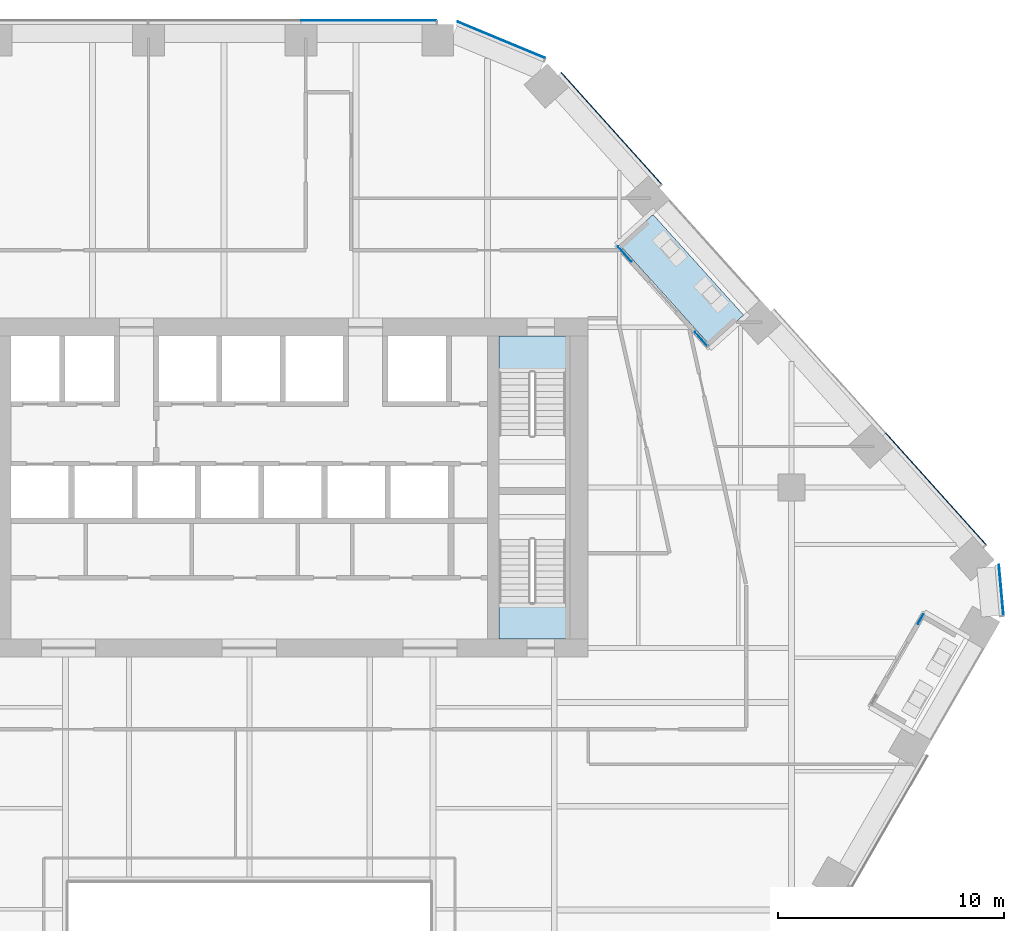
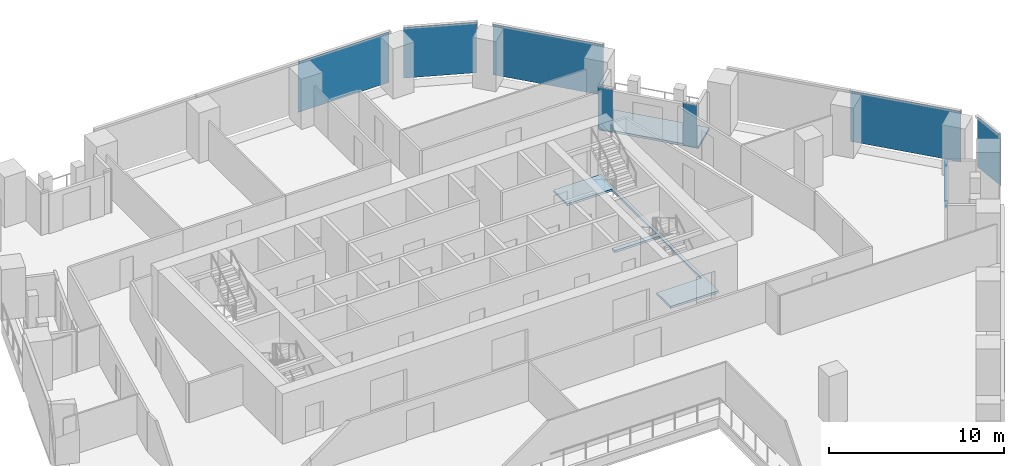
# One storey, part 18 of 26: 8 plates, 2 slabs, 6 elements without a shape of their own.
"""IFC4 building model written with IfcOpenShell, lengths in metres."""

from ifc_helpers import new_model, si_unit, direction, frame, origin, origin_2d, place, context, subcontext, project, spatial, polyline, rectangle, outline, extrude, material, layer, layer_set, type_object, element, aggregate, save


model = new_model("IFC4")

# Units and contexts
model_context = context("Model", 3, precision=1e-05, world=origin(), true_north=direction((0.0, 1.0)))
body_context = subcontext(model_context, "Body", "Model", "MODEL_VIEW")
ifc_project = project(units=[si_unit("LENGTHUNIT", "METRE"), si_unit("AREAUNIT", "SQUARE_METRE"), si_unit("VOLUMEUNIT", "CUBIC_METRE"), si_unit("PLANEANGLEUNIT", "RADIAN"), si_unit("MASSUNIT", "GRAM", prefix="KILO")], contexts=[model_context])

# Site, building, storey
site_placement = place(None, origin())
site = spatial("IfcSite", under=ifc_project, at=site_placement, CompositionType="ELEMENT")
building_placement = place(site_placement, origin())
building = spatial("IfcBuilding", under=site, at=building_placement, Name="Isthmus Gate Tower", CompositionType="ELEMENT")
storey_placement = place(building_placement, frame((0.0, 0.0, 144.39990234375)))
storey = spatial("IfcBuildingStorey", under=building, at=storey_placement, Name="L35", CompositionType="ELEMENT", Elevation=144.39990234375)

# Slab
ifc_material_1 = material(Name="Concrete f'c 40 MPa", Category="concrete")
ifc_layer_1 = layer(ifc_material_1, 0.14990234375)
ifc_layer_set_1 = layer_set([ifc_layer_1], Name="CORE FLOOR SLAB 150")
slab_type_1 = type_object("IfcSlabType", Name="CORE FLOOR SLAB 150", PredefinedType="FLOOR", material=ifc_layer_set_1)
slab_1_placement = place(storey_placement, frame((0.0, 0.0, -0.14990234375)))
element("IfcSlab", 1, at=slab_1_placement, inside=storey, type_object=slab_type_1, Name="L35 core floor", PredefinedType="FLOOR", context=body_context, shape_type="SweptSolid", body=[
    extrude(outline(polyline([(11.050048828125, 14.199951171875), (11.050048828125, 12.597900390625), (14.0, 12.597900390625), (14.0, 7.5), (11.050048828125, 7.5), (11.050048828125, 7.199951171875), (14.0, 7.199951171875), (14.0, 2.402099609375), (11.050048828125, 2.402099609375), (11.050048828125, 0.800048828125), (14.199951171875, 0.800048828125), (14.199951171875, 14.199951171875), (11.050048828125, 14.199951171875)])), origin(), (0.0, 0.0, 1.0), 0.14990234375),
])

# Curtain wall, plate
ifc_material_2 = material(Name="Aluminium, pale champagne anodised", Category="aluminium")
ifc_layer_2 = layer(ifc_material_2, 0.199951171875)
ifc_layer_set_2 = layer_set([ifc_layer_2], Name="CW-1 UNITISED CURTAIN WALL 200 DEEP")
curtain_wall_type_1 = type_object("IfcCurtainWallType", Name="CW-1 UNITISED CURTAIN WALL 200 DEEP", PredefinedType="NOTDEFINED", material=ifc_layer_set_2)
curtain_wall_1_placement = place(storey_placement, origin())
curtain_wall_1 = element("IfcCurtainWall", 2, at=curtain_wall_1_placement, inside=storey, type_object=curtain_wall_type_1, Name="CW-1 N L35", PredefinedType="NOTDEFINED")
ifc_material_3 = material(Name="Laminated low-iron glass, pale blue tint", Category="glass")
ifc_layer_3 = layer(ifc_material_3, 0.035888671875)
ifc_layer_set_3 = layer_set([ifc_layer_3], Name="CW-1 CLEAR GLASS LITE 36")
plate_type_1 = type_object("IfcPlateType", Name="CW-1 CLEAR GLASS LITE 36", PredefinedType="CURTAIN_PANEL", material=ifc_layer_set_3)
plate_1_placement = place(storey_placement, frame((5.283447265625, 28.181884765625, 0.0), z_axis=(0.0, 0.0, 1.0), x_axis=(-1.0, 0.0, 0.0)))
plate_1 = element("IfcPlate", 3, at=plate_1_placement, type_object=plate_type_1, Name="CW-1 glass lite", PredefinedType="CURTAIN_PANEL", context=body_context, shape_type="SweptSolid", body=[
    extrude(rectangle(XDim=5.990234375, YDim=0.035888671875, at=origin_2d()), origin(), (0.0, 0.0, 1.0), 3.510009765625),
])
aggregate(curtain_wall_1, [plate_1])

curtain_wall_2_placement = place(storey_placement, origin())
curtain_wall_2 = element("IfcCurtainWall", 4, at=curtain_wall_2_placement, inside=storey, type_object=curtain_wall_type_1, Name="CW-1 SE-NE L35", PredefinedType="NOTDEFINED")
plate_2_placement = place(storey_placement, frame((33.285888671875, 2.966552734375, 0.0), z_axis=(0.0, 0.0, 1.0), x_axis=(-0.089396669717, 0.995996102123, 0.0)))
plate_2 = element("IfcPlate", 5, at=plate_2_placement, type_object=plate_type_1, Name="CW-1 glass lite", PredefinedType="CURTAIN_PANEL", context=body_context, shape_type="SweptSolid", body=[
    extrude(rectangle(XDim=2.258544921875, YDim=0.035888671875, at=origin_2d()), origin(), (0.0, 0.0, 1.0), 3.510009765625),
])
aggregate(curtain_wall_2, [plate_2])

# Curtain wall, plates
curtain_wall_3_placement = place(storey_placement, origin())
curtain_wall_3 = element("IfcCurtainWall", 6, at=curtain_wall_3_placement, inside=storey, type_object=curtain_wall_type_1, Name="CW-1 NE L35", PredefinedType="NOTDEFINED")
plate_3_placement = place(storey_placement, frame((30.3916015625, 7.449462890625, 0.0), z_axis=(0.0, 0.0, 1.0), x_axis=(-0.669130606359, 0.743144825477, 0.0)))
plate_3 = element("IfcPlate", 7, at=plate_3_placement, type_object=plate_type_1, Name="CW-1 glass lite", PredefinedType="CURTAIN_PANEL", context=body_context, shape_type="SweptSolid", body=[
    extrude(rectangle(XDim=6.630859375, YDim=0.035888671875, at=origin_2d()), origin(), (0.0, 0.0, 1.0), 3.510009765625),
])
plate_4_placement = place(storey_placement, frame((16.02392578125, 23.406494140625, 0.0), z_axis=(0.0, 0.0, 1.0), x_axis=(-0.669130606359, 0.743144825477, 0.0)))
plate_4 = element("IfcPlate", 8, at=plate_4_placement, type_object=plate_type_1, Name="CW-1 glass lite", PredefinedType="CURTAIN_PANEL", context=body_context, shape_type="SweptSolid", body=[
    extrude(rectangle(XDim=6.630859375, YDim=0.035888671875, at=origin_2d()), origin(), (0.0, 0.0, 1.0), 3.510009765625),
])
aggregate(curtain_wall_3, [plate_3, plate_4])

# Curtain wall, plate
curtain_wall_4_placement = place(storey_placement, origin())
curtain_wall_4 = element("IfcCurtainWall", 9, at=curtain_wall_4_placement, inside=storey, type_object=curtain_wall_type_1, Name="CW-1 NE-N L35", PredefinedType="NOTDEFINED")
plate_5_placement = place(storey_placement, frame((11.154052734375, 27.3173828125, 0.0), z_axis=(0.0, 0.0, 1.0), x_axis=(-0.923353128387, 0.383951820282, 0.0)))
plate_5 = element("IfcPlate", 10, at=plate_5_placement, type_object=plate_type_1, Name="CW-1 glass lite", PredefinedType="CURTAIN_PANEL", context=body_context, shape_type="SweptSolid", body=[
    extrude(rectangle(XDim=4.181396484375, YDim=0.035888671875, at=origin_2d()), origin(), (0.0, 0.0, 1.0), 3.510009765625),
])
aggregate(curtain_wall_4, [plate_5])

ifc_material_4 = material(Name="Aluminium, pale champagne anodised", Category="aluminium")
ifc_layer_4 = layer(ifc_material_4, 0.14990234375)
ifc_layer_set_4 = layer_set([ifc_layer_4], Name="CW-6 LOGGIA BACK WALL GLAZING 150 DEEP")
curtain_wall_type_2 = type_object("IfcCurtainWallType", Name="CW-6 LOGGIA BACK WALL GLAZING 150 DEEP", PredefinedType="NOTDEFINED", material=ifc_layer_set_4)
curtain_wall_5_placement = place(storey_placement, origin())
curtain_wall_5 = element("IfcCurtainWall", 11, at=curtain_wall_5_placement, inside=storey, type_object=curtain_wall_type_2, Name="CW-6 SE L35", PredefinedType="NOTDEFINED")
ifc_material_5 = material(Name="Laminated low-iron glass, clear", Category="glass")
ifc_layer_5 = layer(ifc_material_5, 0.031982421875)
ifc_layer_set_5 = layer_set([ifc_layer_5], Name="CW-6 CLEAR GLASS LITE 32")
plate_type_2 = type_object("IfcPlateType", Name="CW-6 CLEAR GLASS LITE 32", PredefinedType="CURTAIN_PANEL", material=ifc_layer_set_5)
plate_6_placement = place(storey_placement, frame((29.719970703125, 1.676513671875, 0.0), z_axis=(0.0, 0.0, 1.0), x_axis=(0.5, 0.866025403784, 0.0)))
plate_6 = element("IfcPlate", 12, at=plate_6_placement, type_object=plate_type_2, Name="CW-6 glass lite", PredefinedType="CURTAIN_PANEL", context=body_context, shape_type="SweptSolid", body=[
    extrude(rectangle(XDim=0.5, YDim=0.031982421875, at=origin_2d()), origin(), (0.0, 0.0, 1.0), 2.929931640625),
])
aggregate(curtain_wall_5, [plate_6])

# Curtain wall, plates
curtain_wall_6_placement = place(storey_placement, origin())
curtain_wall_6 = element("IfcCurtainWall", 13, at=curtain_wall_6_placement, inside=storey, type_object=curtain_wall_type_2, Name="CW-6 NE L35", PredefinedType="NOTDEFINED")
plate_7_placement = place(storey_placement, frame((20.000732421875, 14.0849609375, 0.0), z_axis=(0.0, 0.0, 1.0), x_axis=(-0.669130606359, 0.743144825477, 0.0)))
plate_7 = element("IfcPlate", 14, at=plate_7_placement, type_object=plate_type_2, Name="CW-6 glass lite", PredefinedType="CURTAIN_PANEL", context=body_context, shape_type="SweptSolid", body=[
    extrude(rectangle(XDim=0.83544921875, YDim=0.031982421875, at=origin_2d()), origin(), (0.0, 0.0, 1.0), 2.929931640625),
])
plate_8_placement = place(storey_placement, frame((16.611328125, 17.84912109375, 0.0), z_axis=(0.0, 0.0, 1.0), x_axis=(-0.669130606359, 0.743144825477, 0.0)))
plate_8 = element("IfcPlate", 15, at=plate_8_placement, type_object=plate_type_2, Name="CW-6 glass lite", PredefinedType="CURTAIN_PANEL", context=body_context, shape_type="SweptSolid", body=[
    extrude(rectangle(XDim=0.8955078125, YDim=0.031982421875, at=origin_2d()), origin(), (0.0, 0.0, 1.0), 2.929931640625),
])
aggregate(curtain_wall_6, [plate_7, plate_8])

# Slab
ifc_material_6 = material(Name="Concrete f'c 50 MPa", Category="concrete")
ifc_layer_6 = layer(ifc_material_6, 0.14990234375)
ifc_layer_set_6 = layer_set([ifc_layer_6], Name="LOGGIA FLOOR SLAB 150")
slab_type_2 = type_object("IfcSlabType", Name="LOGGIA FLOOR SLAB 150", PredefinedType="FLOOR", material=ifc_layer_set_6)
slab_2_placement = place(storey_placement, frame((0.0, 0.0, -0.14990234375)))
element("IfcSlab", 16, at=slab_2_placement, inside=storey, type_object=slab_type_2, Name="LOGGIA FLOOR", PredefinedType="FLOOR", context=body_context, shape_type="SweptSolid", body=[
    extrude(outline(polyline([(21.881103515625, 15.135009765625), (17.87255859375, 19.587158203125), (16.38623046875, 18.248779296875), (20.394775390625, 13.796875), (21.881103515625, 15.135009765625)])), origin(), (0.0, 0.0, 1.0), 0.14990234375),
])

save(model, "model.ifc")
